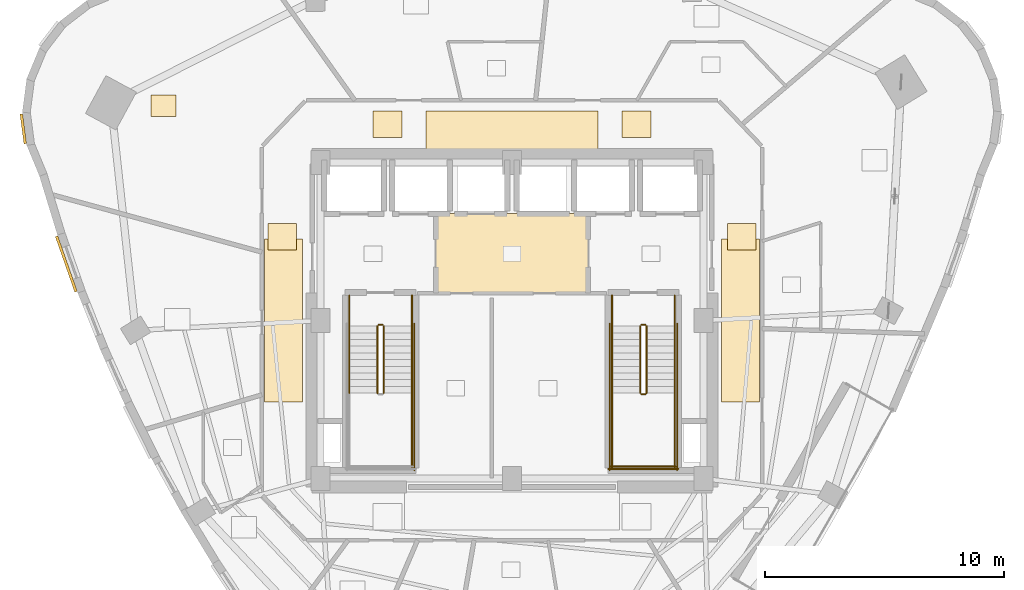
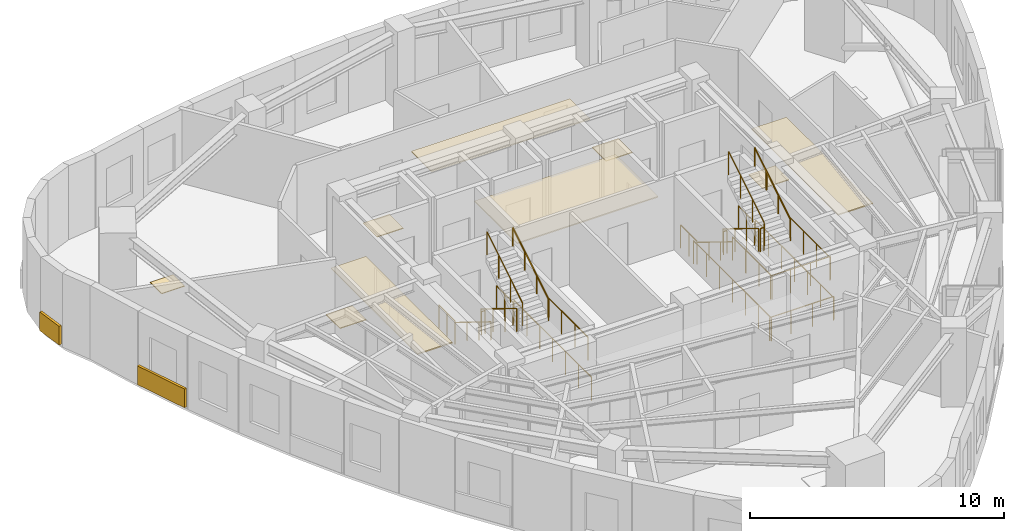
# One storey, part 11 of 12: 23 railings, 11 coverings.
"""IFC4 building model written with IfcOpenShell, lengths in metres."""

from ifc_helpers import new_model, si_unit, direction, frame, origin, origin_2d, place, context, subcontext, project, spatial, rectangle, circle, extrude, material, layer, layer_set, type_object, element, save


model = new_model("IFC4")

# Units and contexts
model_context = context("Model", 3, precision=1e-05, world=origin(), true_north=direction((0.0, 1.0)))
body_context = subcontext(model_context, "Body", "Model", "MODEL_VIEW")
ifc_project = project(units=[si_unit("LENGTHUNIT", "METRE"), si_unit("AREAUNIT", "SQUARE_METRE"), si_unit("VOLUMEUNIT", "CUBIC_METRE"), si_unit("PLANEANGLEUNIT", "RADIAN"), si_unit("MASSUNIT", "GRAM", prefix="KILO")], contexts=[model_context])

# Site, building, storey
site_placement = place(None, origin())
site = spatial("IfcSite", under=ifc_project, at=site_placement, CompositionType="ELEMENT")
building_placement = place(site_placement, origin())
building = spatial("IfcBuilding", under=site, at=building_placement, Name="Ndelora Gate Hotel", CompositionType="ELEMENT")
storey_placement = place(building_placement, frame((0.0, 0.0, 213.14990234375)))
storey = spatial("IfcBuildingStorey", under=building, at=storey_placement, Name="L53", CompositionType="ELEMENT", Elevation=213.14990234375)

# Coverings
ifc_material_1 = material(Name="Perforated Acoustic Gypsum Board", Category="gypsum")
ifc_layer_1 = layer(ifc_material_1, 0.054931640625)
ifc_layer_set_1 = layer_set([ifc_layer_1], Name="Perforated Acoustic Gypsum Board")
covering_type_1 = type_object("IfcCoveringType", Name="COV-CEIL-AC60", PredefinedType="CEILING", material=ifc_layer_set_1)
covering_1_placement = place(storey_placement, frame((0.0, 2.800048828125, 2.72265625), z_axis=(0.0, 0.0, 1.0), x_axis=(1.0, 0.0, 0.0)))
element("IfcCovering", 1, at=covering_1_placement, inside=storey, type_object=covering_type_1, Name="L53 Lift Lobby Acoustic Ceiling", PredefinedType="CEILING", context=body_context, shape_type="SweptSolid", body=[
    extrude(rectangle(XDim=6.39990234375, YDim=3.340087890625, at=origin_2d()), origin(), (0.0, 0.0, 1.0), 0.054931640625),
])
covering_2_placement = place(storey_placement, frame((0.0, 7.9599609375, 2.65283203125), z_axis=(0.0, 0.0, 1.0), x_axis=(1.0, 0.0, 0.0)))
element("IfcCovering", 2, at=covering_2_placement, inside=storey, type_object=covering_type_1, Name="L53 Guest Corridor Acoustic Ceiling N", PredefinedType="CEILING", context=body_context, shape_type="SweptSolid", body=[
    extrude(rectangle(XDim=7.199951171875, YDim=1.580078125, at=origin_2d()), origin(), (0.0, 0.0, 1.0), 0.054931640625),
])
for number, where, z_axis, x_axis, name in (
    (3, (-9.550048828125, 0.0, 2.65283203125), (0.0, 0.0, 1.0), (1.0, 0.0, 0.0), "L53 Guest Corridor Acoustic Ceiling W"),
    (4, (9.550048828125, 0.0, 2.65283203125), (0.0, 0.0, 1.0), (1.0, 0.0, 0.0), "L53 Guest Corridor Acoustic Ceiling E"),
):
    element("IfcCovering", number, at=place(storey_placement, frame(where, z_axis=z_axis, x_axis=x_axis)), inside=storey, type_object=covering_type_1, Name=name, PredefinedType="CEILING", context=body_context, shape_type="SweptSolid", body=[
        extrude(rectangle(XDim=1.580078125, YDim=6.800048828125, at=origin_2d()), origin(), (0.0, 0.0, 1.0), 0.054931640625),
    ])
ifc_material_2 = material(Name="Terracotta Fired Clay Brick Slip Cladding", Category="masonry")
ifc_layer_2 = layer(ifc_material_2, 0.110107421875)
ifc_layer_set_2 = layer_set([ifc_layer_2], Name="Terracotta Fired Clay Brick Slip Cladding")
covering_type_2 = type_object("IfcCoveringType", Name="COV-CLAD-BRK", PredefinedType="CLADDING", material=ifc_layer_set_2)
covering_3_placement = place(storey_placement, frame((-20.42138671875, 8.0126953125, 0.10009765625), z_axis=(0.0, 0.0, 1.0), x_axis=(-0.13052619222, 0.991444861374, 0.0)))
element("IfcCovering", 5, at=covering_3_placement, inside=storey, type_object=covering_type_2, Name="L53 Rounded-Corner Brick Cladding Band 7", PredefinedType="CLADDING", context=body_context, shape_type="SweptSolid", body=[
    extrude(rectangle(XDim=1.257080078125, YDim=0.110107421875, at=origin_2d()), origin(), (0.0, 0.0, 1.0), 0.89990234375),
])
covering_4_placement = place(storey_placement, frame((-18.62451171875, 2.364990234375, 0.10009765625), z_axis=(0.0, 0.0, 1.0), x_axis=(-0.330679112019, 0.943743251565, 0.0)))
element("IfcCovering", 6, at=covering_4_placement, inside=storey, type_object=covering_type_2, Name="L53 Rounded-Corner Brick Cladding Band 10", PredefinedType="CLADDING", context=body_context, shape_type="SweptSolid", body=[
    extrude(rectangle(XDim=2.4599609375, YDim=0.110107421875, at=origin_2d()), origin(), (0.0, 0.0, 1.0), 0.89990234375),
])
ifc_material_3 = material(Name="Engineered Highland Oak Parquet", Category="wood")
ifc_layer_3 = layer(ifc_material_3, 0.030029296875)
ifc_layer_set_3 = layer_set([ifc_layer_3], Name="Engineered Highland Oak Parquet")
covering_type_3 = type_object("IfcCoveringType", Name="COV-FLR-PARQ", PredefinedType="FLOORING", material=ifc_layer_set_3)
covering_5_placement = place(storey_placement, frame((-14.556396484375, 8.970703125, 0.0), z_axis=(0.0, 0.0, 1.0), x_axis=(1.0, 0.0, 0.0)))
element("IfcCovering", 7, at=covering_5_placement, inside=storey, type_object=covering_type_3, Name="L53 Private Banquet Dining Room Oak Parquet Flooring", PredefinedType="FLOORING", context=body_context, shape_type="SweptSolid", body=[
    extrude(rectangle(XDim=1.050048828125, YDim=0.89990234375, at=origin_2d()), origin(), (0.0, 0.0, 1.0), 0.030029296875),
])
ifc_material_4 = material(Name="Polished Highland Stone Terrazzo", Category="masonry")
ifc_layer_4 = layer(ifc_material_4, 0.034912109375)
ifc_layer_set_4 = layer_set([ifc_layer_4], Name="Polished Highland Stone Terrazzo")
covering_type_4 = type_object("IfcCoveringType", Name="COV-FLR-TERZ", PredefinedType="FLOORING", material=ifc_layer_set_4)
for number, where, z_axis, x_axis, name in (
    (8, (-5.199951171875, 8.199951171875, 0.0), (0.0, 0.0, 1.0), (1.0, 0.0, 0.0), "L53 Corridor Threshold Terrazzo Inlay NW"),
    (9, (5.199951171875, 8.199951171875, 0.0), (0.0, 0.0, 1.0), (1.0, 0.0, 0.0), "L53 Corridor Threshold Terrazzo Inlay NE"),
    (10, (-9.60009765625, 3.5, 0.0), (0.0, 0.0, 1.0), (1.0, 0.0, 0.0), "L53 Corridor Threshold Terrazzo Inlay W"),
    (11, (9.60009765625, 3.5, 0.0), (0.0, 0.0, 1.0), (1.0, 0.0, 0.0), "L53 Corridor Threshold Terrazzo Inlay E"),
):
    element("IfcCovering", number, at=place(storey_placement, frame(where, z_axis=z_axis, x_axis=x_axis)), inside=storey, type_object=covering_type_4, Name=name, PredefinedType="FLOORING", context=body_context, shape_type="SweptSolid", body=[
        extrude(rectangle(XDim=1.199951171875, YDim=1.10009765625, at=origin_2d()), origin(), (0.0, 0.0, 1.0), 0.034912109375),
    ])

# Railings
ifc_material_5 = material(Name="Painted Galvanized Steel Balustrade", Category="steel")
ifc_layer_5 = layer(ifc_material_5, 0.06005859375)
ifc_layer_set_5 = layer_set([ifc_layer_5], Name="Painted Galvanized Steel Balustrade")
railing_type_1 = type_object("IfcRailingType", Name="RL-STAIR-GD", PredefinedType="GUARDRAIL", material=ifc_layer_set_5)
railing_1_placement = place(storey_placement, frame((-5.6201171875, -0.22998046875, 0.1728515625)))
element("IfcRailing", 12, at=railing_1_placement, inside=storey, type_object=railing_type_1, Name="L53 ST4 stair guard 1", PredefinedType="GUARDRAIL", context=body_context, shape_type="SweptSolid", body=[
    extrude(circle(Radius=0.02392578125, at=origin_2d()), frame((0.0, 0.0, 1.10595703125), z_axis=(0.0, -0.851089632645, 0.525020415988), x_axis=(1.0, 0.0, 0.0)), (0.0, 0.0, 1.0), 3.2900390625),
    extrude(circle(Radius=0.02099609375, at=origin_2d()), origin(), (0.0, 0.0, 1.0), 1.081787109375),
    extrude(circle(Radius=0.02099609375, at=origin_2d()), frame((0.0, -0.933349609375, 0.57568359375)), (0.0, 0.0, 1.0), 1.081787109375),
    extrude(circle(Radius=0.02099609375, at=origin_2d()), frame((0.0, -1.86669921875, 1.151611328125)), (0.0, 0.0, 1.0), 1.081787109375),
    extrude(circle(Radius=0.02099609375, at=origin_2d()), frame((0.0, -2.800048828125, 1.727294921875)), (0.0, 0.0, 1.0), 1.081787109375),
])
railing_2_placement = place(storey_placement, frame((-4.179931640625, -3.030029296875, 1.900146484375)))
element("IfcRailing", 13, at=railing_2_placement, inside=storey, type_object=railing_type_1, Name="L53 ST4 stair guard 4", PredefinedType="GUARDRAIL", context=body_context, shape_type="SweptSolid", body=[
    extrude(circle(Radius=0.02392578125, at=origin_2d()), frame((0.0, 0.0, 1.10595703125), z_axis=(0.0, -1.0, 0.0), x_axis=(1.0, 0.0, 0.0)), (0.0, 0.0, 1.0), 3.119873046875),
    extrude(circle(Radius=0.02099609375, at=origin_2d()), origin(), (0.0, 0.0, 1.0), 1.081787109375),
    extrude(circle(Radius=0.02099609375, at=origin_2d()), frame((0.0, -1.0400390625, 0.0)), (0.0, 0.0, 1.0), 1.081787109375),
    extrude(circle(Radius=0.02099609375, at=origin_2d()), frame((0.0, -2.079833984375, 0.0)), (0.0, 0.0, 1.0), 1.081787109375),
    extrude(circle(Radius=0.02099609375, at=origin_2d()), frame((0.0, -3.119873046875, 0.0)), (0.0, 0.0, 1.0), 1.081787109375),
])
railing_3_placement = place(storey_placement, frame((-5.360107421875, -3.030029296875, 2.07275390625)))
element("IfcRailing", 14, at=railing_3_placement, inside=storey, type_object=railing_type_1, Name="L53 ST4 stair guard 6", PredefinedType="GUARDRAIL", context=body_context, shape_type="SweptSolid", body=[
    extrude(circle(Radius=0.02392578125, at=origin_2d()), frame((0.0, 0.0, 1.10595703125), z_axis=(0.0, 0.851089632645, 0.525020415988), x_axis=(-1.0, 0.0, 0.0)), (0.0, 0.0, 1.0), 3.2900390625),
    extrude(circle(Radius=0.02099609375, at=origin_2d()), origin(), (0.0, 0.0, 1.0), 1.081787109375),
    extrude(circle(Radius=0.02099609375, at=origin_2d()), frame((0.0, 0.933349609375, 0.57568359375)), (0.0, 0.0, 1.0), 1.081787109375),
    extrude(circle(Radius=0.02099609375, at=origin_2d()), frame((0.0, 1.86669921875, 1.151611328125)), (0.0, 0.0, 1.0), 1.081787109375),
    extrude(circle(Radius=0.02099609375, at=origin_2d()), frame((0.0, 2.800048828125, 1.727294921875)), (0.0, 0.0, 1.0), 1.081787109375),
])
railing_4_placement = place(storey_placement, frame((-5.570068359375, -0.179931640625, 0.0)))
element("IfcRailing", 15, at=railing_4_placement, inside=storey, type_object=railing_type_1, Name="L53 ST4 stair guard 7", PredefinedType="GUARDRAIL", context=body_context, shape_type="SweptSolid", body=[
    extrude(circle(Radius=0.02392578125, at=origin_2d()), frame((0.0, 0.0, 1.10595703125), z_axis=(1.0, 0.0, 0.0), x_axis=(0.0, 1.0, 0.0)), (0.0, 0.0, 1.0), 0.16015625),
    extrude(circle(Radius=0.02099609375, at=origin_2d()), origin(), (0.0, 0.0, 1.0), 1.081787109375),
    extrude(circle(Radius=0.02099609375, at=origin_2d()), frame((0.16015625, 0.0, 0.0)), (0.0, 0.0, 1.0), 1.081787109375),
])
for number, where, name in (
    (16, (-6.800048828125, 1.050048828125, 0.0), "L53 ST4 stair guard 8"),
    (17, (-4.179931640625, 1.050048828125, 0.0), "L53 ST4 stair guard 9"),
):
    element("IfcRailing", number, at=place(storey_placement, frame(where)), inside=storey, type_object=railing_type_1, Name=name, PredefinedType="GUARDRAIL", context=body_context, shape_type="SweptSolid", body=[
        extrude(circle(Radius=0.02392578125, at=origin_2d()), frame((0.0, 0.0, 1.10595703125), z_axis=(0.0, -1.0, 0.0), x_axis=(1.0, 0.0, 0.0)), (0.0, 0.0, 1.0), 1.280029296875),
        extrude(circle(Radius=0.02099609375, at=origin_2d()), origin(), (0.0, 0.0, 1.0), 1.081787109375),
        extrude(circle(Radius=0.02099609375, at=origin_2d()), frame((0.0, -0.64013671875, 0.0)), (0.0, 0.0, 1.0), 1.081787109375),
        extrude(circle(Radius=0.02099609375, at=origin_2d()), frame((0.0, -1.280029296875, 0.0)), (0.0, 0.0, 1.0), 1.081787109375),
    ])
railing_5_placement = place(storey_placement, frame((-4.080078125, -0.1298828125, 0.0)))
element("IfcRailing", 18, at=railing_5_placement, inside=storey, type_object=railing_type_1, Name="L53 ST4 stair guard 11", PredefinedType="GUARDRAIL", context=body_context, shape_type="SweptSolid", body=[
    extrude(circle(Radius=0.02392578125, at=origin_2d()), frame((0.0, 0.0, 1.10595703125), z_axis=(0.0, -1.0, 0.0), x_axis=(1.0, 0.0, 0.0)), (0.0, 0.0, 1.0), 6.1201171875),
    extrude(circle(Radius=0.02099609375, at=origin_2d()), origin(), (0.0, 0.0, 1.0), 1.081787109375),
    extrude(circle(Radius=0.02099609375, at=origin_2d()), frame((0.0, -1.02001953125, 0.0)), (0.0, 0.0, 1.0), 1.081787109375),
    extrude(circle(Radius=0.02099609375, at=origin_2d()), frame((0.0, -2.0400390625, 0.0)), (0.0, 0.0, 1.0), 1.081787109375),
    extrude(circle(Radius=0.02099609375, at=origin_2d()), frame((0.0, -3.06005859375, 0.0)), (0.0, 0.0, 1.0), 1.081787109375),
    extrude(circle(Radius=0.02099609375, at=origin_2d()), frame((0.0, -4.080078125, 0.0)), (0.0, 0.0, 1.0), 1.081787109375),
    extrude(circle(Radius=0.02099609375, at=origin_2d()), frame((0.0, -5.10009765625, 0.0)), (0.0, 0.0, 1.0), 1.081787109375),
    extrude(circle(Radius=0.02099609375, at=origin_2d()), frame((0.0, -6.1201171875, 0.0)), (0.0, 0.0, 1.0), 1.081787109375),
])
railing_6_placement = place(storey_placement, frame((5.360107421875, -0.22998046875, 0.1728515625)))
element("IfcRailing", 19, at=railing_6_placement, inside=storey, type_object=railing_type_1, Name="L53 ST5 stair guard 1", PredefinedType="GUARDRAIL", context=body_context, shape_type="SweptSolid", body=[
    extrude(circle(Radius=0.02392578125, at=origin_2d()), frame((0.0, 0.0, 1.10595703125), z_axis=(0.0, -0.851089632645, 0.525020415988), x_axis=(1.0, 0.0, 0.0)), (0.0, 0.0, 1.0), 3.2900390625),
    extrude(circle(Radius=0.02099609375, at=origin_2d()), origin(), (0.0, 0.0, 1.0), 1.081787109375),
    extrude(circle(Radius=0.02099609375, at=origin_2d()), frame((0.0, -0.933349609375, 0.57568359375)), (0.0, 0.0, 1.0), 1.081787109375),
    extrude(circle(Radius=0.02099609375, at=origin_2d()), frame((0.0, -1.86669921875, 1.151611328125)), (0.0, 0.0, 1.0), 1.081787109375),
    extrude(circle(Radius=0.02099609375, at=origin_2d()), frame((0.0, -2.800048828125, 1.727294921875)), (0.0, 0.0, 1.0), 1.081787109375),
])
railing_7_placement = place(storey_placement, frame((5.409912109375, -3.080078125, 1.900146484375)))
element("IfcRailing", 20, at=railing_7_placement, inside=storey, type_object=railing_type_1, Name="L53 ST5 stair guard 2", PredefinedType="GUARDRAIL", context=body_context, shape_type="SweptSolid", body=[
    extrude(circle(Radius=0.02392578125, at=origin_2d()), frame((0.0, 0.0, 1.10595703125), z_axis=(1.0, 0.0, 0.0), x_axis=(0.0, 1.0, 0.0)), (0.0, 0.0, 1.0), 0.16015625),
    extrude(circle(Radius=0.02099609375, at=origin_2d()), origin(), (0.0, 0.0, 1.0), 1.081787109375),
    extrude(circle(Radius=0.02099609375, at=origin_2d()), frame((0.16015625, 0.0, 0.0)), (0.0, 0.0, 1.0), 1.081787109375),
])
for number, where, name in (
    (21, (4.179931640625, -3.030029296875, 1.900146484375), "L53 ST5 stair guard 3"),
    (22, (6.800048828125, -3.030029296875, 1.900146484375), "L53 ST5 stair guard 4"),
):
    element("IfcRailing", number, at=place(storey_placement, frame(where)), inside=storey, type_object=railing_type_1, Name=name, PredefinedType="GUARDRAIL", context=body_context, shape_type="SweptSolid", body=[
        extrude(circle(Radius=0.02392578125, at=origin_2d()), frame((0.0, 0.0, 1.10595703125), z_axis=(0.0, -1.0, 0.0), x_axis=(1.0, 0.0, 0.0)), (0.0, 0.0, 1.0), 3.119873046875),
        extrude(circle(Radius=0.02099609375, at=origin_2d()), origin(), (0.0, 0.0, 1.0), 1.081787109375),
        extrude(circle(Radius=0.02099609375, at=origin_2d()), frame((0.0, -1.0400390625, 0.0)), (0.0, 0.0, 1.0), 1.081787109375),
        extrude(circle(Radius=0.02099609375, at=origin_2d()), frame((0.0, -2.079833984375, 0.0)), (0.0, 0.0, 1.0), 1.081787109375),
        extrude(circle(Radius=0.02099609375, at=origin_2d()), frame((0.0, -3.119873046875, 0.0)), (0.0, 0.0, 1.0), 1.081787109375),
    ])
railing_8_placement = place(storey_placement, frame((4.1298828125, -6.10009765625, 1.900146484375)))
element("IfcRailing", 23, at=railing_8_placement, inside=storey, type_object=railing_type_1, Name="L53 ST5 stair guard 5", PredefinedType="GUARDRAIL", context=body_context, shape_type="SweptSolid", body=[
    extrude(circle(Radius=0.02392578125, at=origin_2d()), frame((0.0, 0.0, 1.10595703125), z_axis=(1.0, 0.0, 0.0), x_axis=(0.0, 1.0, 0.0)), (0.0, 0.0, 1.0), 2.72021484375),
    extrude(circle(Radius=0.02099609375, at=origin_2d()), origin(), (0.0, 0.0, 1.0), 1.081787109375),
    extrude(circle(Radius=0.02099609375, at=origin_2d()), frame((0.90673828125, 0.0, 0.0)), (0.0, 0.0, 1.0), 1.081787109375),
    extrude(circle(Radius=0.02099609375, at=origin_2d()), frame((1.8134765625, 0.0, 0.0)), (0.0, 0.0, 1.0), 1.081787109375),
    extrude(circle(Radius=0.02099609375, at=origin_2d()), frame((2.72021484375, 0.0, 0.0)), (0.0, 0.0, 1.0), 1.081787109375),
])
railing_9_placement = place(storey_placement, frame((5.6201171875, -3.030029296875, 2.07275390625)))
element("IfcRailing", 24, at=railing_9_placement, inside=storey, type_object=railing_type_1, Name="L53 ST5 stair guard 6", PredefinedType="GUARDRAIL", context=body_context, shape_type="SweptSolid", body=[
    extrude(circle(Radius=0.02392578125, at=origin_2d()), frame((0.0, 0.0, 1.10595703125), z_axis=(0.0, 0.851089632645, 0.525020415988), x_axis=(-1.0, 0.0, 0.0)), (0.0, 0.0, 1.0), 3.2900390625),
    extrude(circle(Radius=0.02099609375, at=origin_2d()), origin(), (0.0, 0.0, 1.0), 1.081787109375),
    extrude(circle(Radius=0.02099609375, at=origin_2d()), frame((0.0, 0.933349609375, 0.57568359375)), (0.0, 0.0, 1.0), 1.081787109375),
    extrude(circle(Radius=0.02099609375, at=origin_2d()), frame((0.0, 1.86669921875, 1.151611328125)), (0.0, 0.0, 1.0), 1.081787109375),
    extrude(circle(Radius=0.02099609375, at=origin_2d()), frame((0.0, 2.800048828125, 1.727294921875)), (0.0, 0.0, 1.0), 1.081787109375),
])
railing_10_placement = place(storey_placement, frame((5.409912109375, -0.179931640625, 0.0)))
element("IfcRailing", 25, at=railing_10_placement, inside=storey, type_object=railing_type_1, Name="L53 ST5 stair guard 7", PredefinedType="GUARDRAIL", context=body_context, shape_type="SweptSolid", body=[
    extrude(circle(Radius=0.02392578125, at=origin_2d()), frame((0.0, 0.0, 1.10595703125), z_axis=(1.0, 0.0, 0.0), x_axis=(0.0, 1.0, 0.0)), (0.0, 0.0, 1.0), 0.16015625),
    extrude(circle(Radius=0.02099609375, at=origin_2d()), origin(), (0.0, 0.0, 1.0), 1.081787109375),
    extrude(circle(Radius=0.02099609375, at=origin_2d()), frame((0.16015625, 0.0, 0.0)), (0.0, 0.0, 1.0), 1.081787109375),
])
for number, where, name in (
    (26, (4.179931640625, 1.050048828125, 0.0), "L53 ST5 stair guard 8"),
    (27, (6.800048828125, 1.050048828125, 0.0), "L53 ST5 stair guard 9"),
):
    element("IfcRailing", number, at=place(storey_placement, frame(where)), inside=storey, type_object=railing_type_1, Name=name, PredefinedType="GUARDRAIL", context=body_context, shape_type="SweptSolid", body=[
        extrude(circle(Radius=0.02392578125, at=origin_2d()), frame((0.0, 0.0, 1.10595703125), z_axis=(0.0, -1.0, 0.0), x_axis=(1.0, 0.0, 0.0)), (0.0, 0.0, 1.0), 1.280029296875),
        extrude(circle(Radius=0.02099609375, at=origin_2d()), origin(), (0.0, 0.0, 1.0), 1.081787109375),
        extrude(circle(Radius=0.02099609375, at=origin_2d()), frame((0.0, -0.64013671875, 0.0)), (0.0, 0.0, 1.0), 1.081787109375),
        extrude(circle(Radius=0.02099609375, at=origin_2d()), frame((0.0, -1.280029296875, 0.0)), (0.0, 0.0, 1.0), 1.081787109375),
    ])
for number, where, name in (
    (28, (4.080078125, -0.1298828125, 0.0), "L53 ST5 stair guard 10"),
    (29, (6.89990234375, -0.1298828125, 0.0), "L53 ST5 stair guard 11"),
):
    element("IfcRailing", number, at=place(storey_placement, frame(where)), inside=storey, type_object=railing_type_1, Name=name, PredefinedType="GUARDRAIL", context=body_context, shape_type="SweptSolid", body=[
        extrude(circle(Radius=0.02392578125, at=origin_2d()), frame((0.0, 0.0, 1.10595703125), z_axis=(0.0, -1.0, 0.0), x_axis=(1.0, 0.0, 0.0)), (0.0, 0.0, 1.0), 6.1201171875),
        extrude(circle(Radius=0.02099609375, at=origin_2d()), origin(), (0.0, 0.0, 1.0), 1.081787109375),
        extrude(circle(Radius=0.02099609375, at=origin_2d()), frame((0.0, -1.02001953125, 0.0)), (0.0, 0.0, 1.0), 1.081787109375),
        extrude(circle(Radius=0.02099609375, at=origin_2d()), frame((0.0, -2.0400390625, 0.0)), (0.0, 0.0, 1.0), 1.081787109375),
        extrude(circle(Radius=0.02099609375, at=origin_2d()), frame((0.0, -3.06005859375, 0.0)), (0.0, 0.0, 1.0), 1.081787109375),
        extrude(circle(Radius=0.02099609375, at=origin_2d()), frame((0.0, -4.080078125, 0.0)), (0.0, 0.0, 1.0), 1.081787109375),
        extrude(circle(Radius=0.02099609375, at=origin_2d()), frame((0.0, -5.10009765625, 0.0)), (0.0, 0.0, 1.0), 1.081787109375),
        extrude(circle(Radius=0.02099609375, at=origin_2d()), frame((0.0, -6.1201171875, 0.0)), (0.0, 0.0, 1.0), 1.081787109375),
    ])
railing_11_placement = place(storey_placement, frame((4.030029296875, -6.199951171875, 0.0)))
element("IfcRailing", 30, at=railing_11_placement, inside=storey, type_object=railing_type_1, Name="L53 ST5 stair guard 12", PredefinedType="GUARDRAIL", context=body_context, shape_type="SweptSolid", body=[
    extrude(circle(Radius=0.02392578125, at=origin_2d()), frame((0.0, 0.0, 1.10595703125), z_axis=(1.0, 0.0, 0.0), x_axis=(0.0, 1.0, 0.0)), (0.0, 0.0, 1.0), 2.919921875),
    extrude(circle(Radius=0.02099609375, at=origin_2d()), origin(), (0.0, 0.0, 1.0), 1.081787109375),
    extrude(circle(Radius=0.02099609375, at=origin_2d()), frame((0.973388671875, 0.0, 0.0)), (0.0, 0.0, 1.0), 1.081787109375),
    extrude(circle(Radius=0.02099609375, at=origin_2d()), frame((1.946533203125, 0.0, 0.0)), (0.0, 0.0, 1.0), 1.081787109375),
    extrude(circle(Radius=0.02099609375, at=origin_2d()), frame((2.919921875, 0.0, 0.0)), (0.0, 0.0, 1.0), 1.081787109375),
])
ifc_material_6 = material(Name="Brushed Stainless Steel 316", Category="steel")
ifc_layer_6 = layer(ifc_material_6, 0.050048828125)
ifc_layer_set_6 = layer_set([ifc_layer_6], Name="Brushed Stainless Steel 316")
railing_type_2 = type_object("IfcRailingType", Name="RL-STAIR-HR", PredefinedType="HANDRAIL", material=ifc_layer_set_6)
railing_12_placement = place(storey_placement, frame((-6.800048828125, -0.22998046875, 0.1728515625)))
element("IfcRailing", 31, at=railing_12_placement, inside=storey, type_object=railing_type_2, Name="L53 ST4 stair handrail 1", PredefinedType="HANDRAIL", context=body_context, shape_type="SweptSolid", body=[
    extrude(circle(Radius=0.02392578125, at=origin_2d()), frame((0.0, 0.0, 0.8759765625), z_axis=(0.0, -0.851089632645, 0.525020415988), x_axis=(1.0, 0.0, 0.0)), (0.0, 0.0, 1.0), 3.2900390625),
    extrude(circle(Radius=0.02099609375, at=origin_2d()), origin(), (0.0, 0.0, 1.0), 0.851806640625),
    extrude(circle(Radius=0.02099609375, at=origin_2d()), frame((0.0, -0.933349609375, 0.57568359375)), (0.0, 0.0, 1.0), 0.851806640625),
    extrude(circle(Radius=0.02099609375, at=origin_2d()), frame((0.0, -1.86669921875, 1.151611328125)), (0.0, 0.0, 1.0), 0.851806640625),
    extrude(circle(Radius=0.02099609375, at=origin_2d()), frame((0.0, -2.800048828125, 1.727294921875)), (0.0, 0.0, 1.0), 0.851806640625),
])
railing_13_placement = place(storey_placement, frame((-4.179931640625, -3.030029296875, 2.07275390625)))
element("IfcRailing", 32, at=railing_13_placement, inside=storey, type_object=railing_type_2, Name="L53 ST4 stair handrail 2", PredefinedType="HANDRAIL", context=body_context, shape_type="SweptSolid", body=[
    extrude(circle(Radius=0.02392578125, at=origin_2d()), frame((0.0, 0.0, 0.8759765625), z_axis=(0.0, 0.851089632645, 0.525020415988), x_axis=(-1.0, 0.0, 0.0)), (0.0, 0.0, 1.0), 3.2900390625),
    extrude(circle(Radius=0.02099609375, at=origin_2d()), origin(), (0.0, 0.0, 1.0), 0.851806640625),
    extrude(circle(Radius=0.02099609375, at=origin_2d()), frame((0.0, 0.933349609375, 0.57568359375)), (0.0, 0.0, 1.0), 0.851806640625),
    extrude(circle(Radius=0.02099609375, at=origin_2d()), frame((0.0, 1.86669921875, 1.151611328125)), (0.0, 0.0, 1.0), 0.851806640625),
    extrude(circle(Radius=0.02099609375, at=origin_2d()), frame((0.0, 2.800048828125, 1.727294921875)), (0.0, 0.0, 1.0), 0.851806640625),
])
railing_14_placement = place(storey_placement, frame((4.179931640625, -0.22998046875, 0.1728515625)))
element("IfcRailing", 33, at=railing_14_placement, inside=storey, type_object=railing_type_2, Name="L53 ST5 stair handrail 1", PredefinedType="HANDRAIL", context=body_context, shape_type="SweptSolid", body=[
    extrude(circle(Radius=0.02392578125, at=origin_2d()), frame((0.0, 0.0, 0.8759765625), z_axis=(0.0, -0.851089632645, 0.525020415988), x_axis=(1.0, 0.0, 0.0)), (0.0, 0.0, 1.0), 3.2900390625),
    extrude(circle(Radius=0.02099609375, at=origin_2d()), origin(), (0.0, 0.0, 1.0), 0.851806640625),
    extrude(circle(Radius=0.02099609375, at=origin_2d()), frame((0.0, -0.933349609375, 0.57568359375)), (0.0, 0.0, 1.0), 0.851806640625),
    extrude(circle(Radius=0.02099609375, at=origin_2d()), frame((0.0, -1.86669921875, 1.151611328125)), (0.0, 0.0, 1.0), 0.851806640625),
    extrude(circle(Radius=0.02099609375, at=origin_2d()), frame((0.0, -2.800048828125, 1.727294921875)), (0.0, 0.0, 1.0), 0.851806640625),
])
railing_15_placement = place(storey_placement, frame((6.800048828125, -3.030029296875, 2.07275390625)))
element("IfcRailing", 34, at=railing_15_placement, inside=storey, type_object=railing_type_2, Name="L53 ST5 stair handrail 2", PredefinedType="HANDRAIL", context=body_context, shape_type="SweptSolid", body=[
    extrude(circle(Radius=0.02392578125, at=origin_2d()), frame((0.0, 0.0, 0.8759765625), z_axis=(0.0, 0.851089632645, 0.525020415988), x_axis=(-1.0, 0.0, 0.0)), (0.0, 0.0, 1.0), 3.2900390625),
    extrude(circle(Radius=0.02099609375, at=origin_2d()), origin(), (0.0, 0.0, 1.0), 0.851806640625),
    extrude(circle(Radius=0.02099609375, at=origin_2d()), frame((0.0, 0.933349609375, 0.57568359375)), (0.0, 0.0, 1.0), 0.851806640625),
    extrude(circle(Radius=0.02099609375, at=origin_2d()), frame((0.0, 1.86669921875, 1.151611328125)), (0.0, 0.0, 1.0), 0.851806640625),
    extrude(circle(Radius=0.02099609375, at=origin_2d()), frame((0.0, 2.800048828125, 1.727294921875)), (0.0, 0.0, 1.0), 0.851806640625),
])

save(model, "model.ifc")
